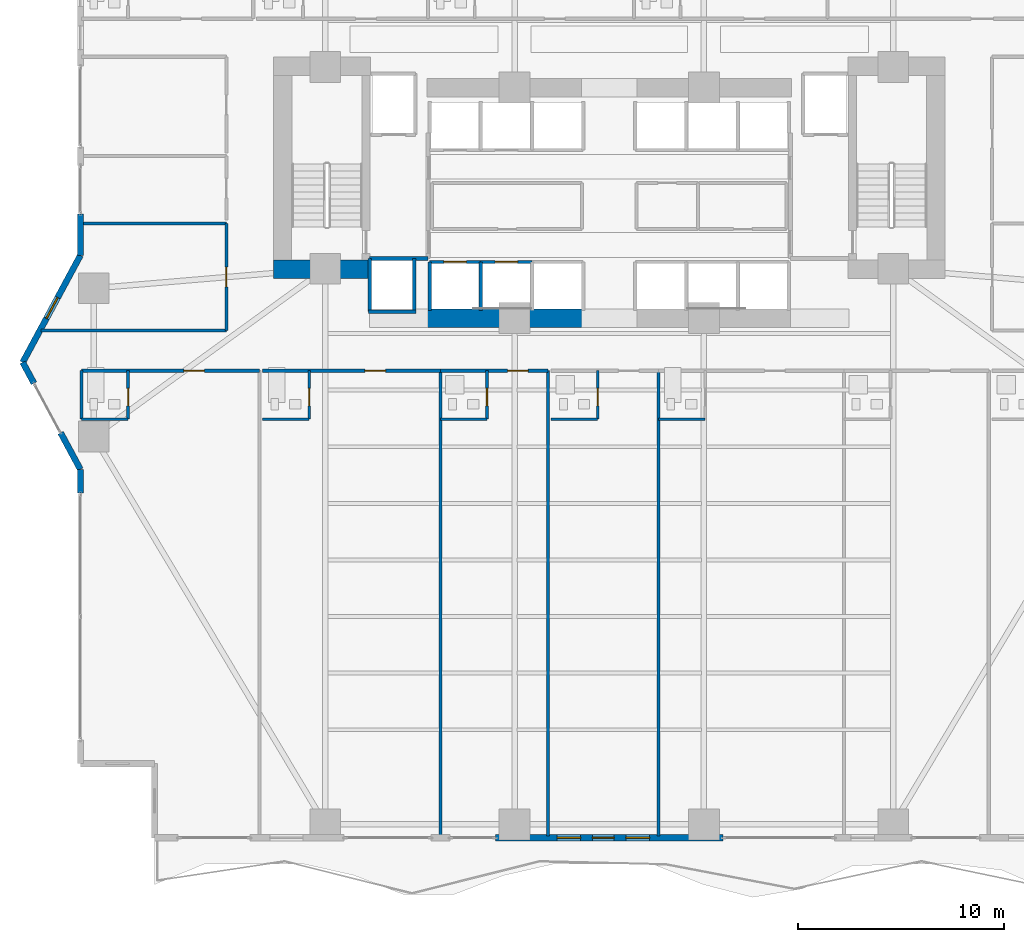
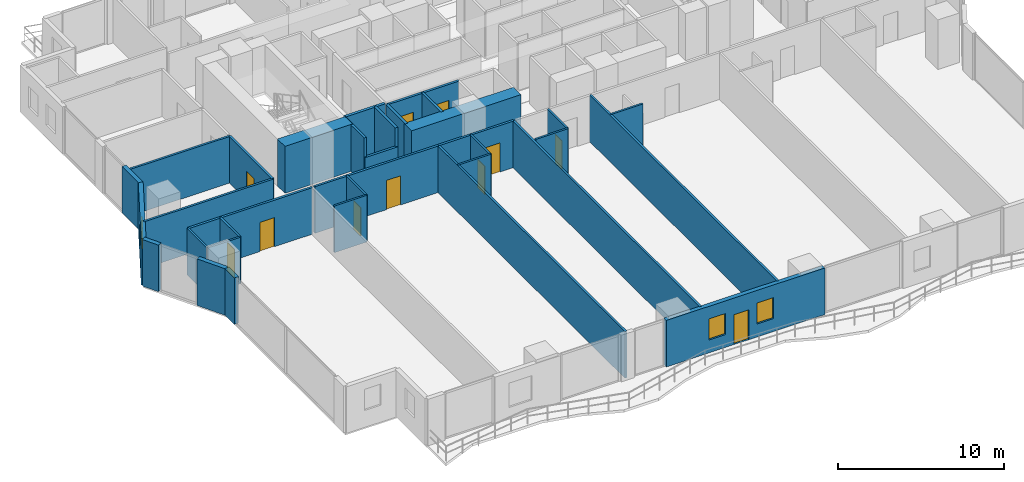
# One storey, part 18 of 29: 35 walls, 11 doors, 3 windows, 14 openings.
"""IFC4 building model written with IfcOpenShell, lengths in metres."""

from ifc_helpers import new_model, si_unit, direction, frame, frame_2d, origin, place, context, subcontext, project, spatial, rectangle, extrude, material, layer, layer_set, type_object, element, fill, save


model = new_model("IFC4")

# Units and contexts
model_context = context("Model", 3, precision=1e-05, world=origin(), true_north=direction((0.0, 1.0)))
body_context = subcontext(model_context, "Body", "Model", "MODEL_VIEW")
ifc_project = project(units=[si_unit("LENGTHUNIT", "METRE"), si_unit("AREAUNIT", "SQUARE_METRE"), si_unit("VOLUMEUNIT", "CUBIC_METRE"), si_unit("PLANEANGLEUNIT", "RADIAN"), si_unit("MASSUNIT", "GRAM", prefix="KILO")], contexts=[model_context])

# Site, building, storey
site_placement = place(None, origin())
site = spatial("IfcSite", under=ifc_project, at=site_placement, CompositionType="ELEMENT")
building_placement = place(site_placement, origin())
building = spatial("IfcBuilding", under=site, at=building_placement, Name="Zuhayl Quay Hotel", CompositionType="ELEMENT")
storey_placement = place(building_placement, frame((0.0, 0.0, 45.85009765625)))
storey = spatial("IfcBuildingStorey", under=building, at=storey_placement, Name="L10", CompositionType="ELEMENT", Elevation=45.85009765625)

# Walls
ifc_material_1 = material(Name="Concrete C70/85", Category="concrete")
ifc_layer_1 = layer(ifc_material_1, 0.89990234375, Name="Concrete C70/85", Category="concrete")
ifc_layer_set_1 = layer_set([ifc_layer_1], Name="Concrete C70/85")
wall_type_1 = type_object("IfcWallType", Name="WL_CORE_900", PredefinedType="SHEAR", material=ifc_layer_set_1)
wall_1_placement = place(storey_placement, frame((-16.31005859375, 4.52001953125, 0.0), z_axis=(0.0, 0.0, 1.0), x_axis=(1.0, 0.0, 0.0)))
element("IfcWall", 1, at=wall_1_placement, inside=storey, type_object=wall_type_1, Name="L10 Core Shear Wall CW_SW", PredefinedType="SHEAR", context=body_context, shape_type="SweptSolid", body=[
    extrude(rectangle(XDim=4.7099609375, YDim=0.89990234375, at=frame_2d((2.35498046875, 0.0))), origin(), (0.0, 0.0, 1.0), 3.4599609375),
])
wall_2_placement = place(storey_placement, frame((-8.85009765625, 2.14990234375, 0.0), z_axis=(0.0, 0.0, 1.0), x_axis=(1.0, 0.0, 0.0)))
element("IfcWall", 2, at=wall_2_placement, inside=storey, type_object=wall_type_1, Name="L10 Core Shear Wall CW_SC_W", PredefinedType="SHEAR", context=body_context, shape_type="SweptSolid", body=[
    extrude(rectangle(XDim=7.60009765625, YDim=0.89990234375, at=frame_2d((3.800048828125, 0.0))), origin(), (0.0, 0.0, 1.0), 3.429931640625),
])
ifc_material_2 = material(Name="Precast concrete C45/55", Category="concrete")
ifc_layer_2 = layer(ifc_material_2, 0.300048828125, Name="Precast concrete C45/55", Category="concrete")
ifc_layer_set_2 = layer_set([ifc_layer_2], Name="Precast concrete C45/55")
wall_type_2 = type_object("IfcWallType", Name="WL_EXT_300", PredefinedType="STANDARD", material=ifc_layer_set_2)
wall_3_placement = place(storey_placement, frame((-25.699951171875, -6.35009765625, 0.0), z_axis=(0.0, 0.0, 1.0), x_axis=(0.0, 1.0, 0.0)))
element("IfcWall", 3, at=wall_3_placement, inside=storey, type_object=wall_type_2, Name="L10 Exterior Precast Wall ENV_L10_E02_EW2", PredefinedType="STANDARD", context=body_context, shape_type="SweptSolid", body=[
    extrude(rectangle(XDim=1.150146484375, YDim=0.300048828125, at=frame_2d((0.5751953125, 0.0))), origin(), (0.0, 0.0, 1.0), 3.429931640625),
])
wall_4_placement = place(storey_placement, frame((-25.699951171875, -5.199951171875, 0.0), z_axis=(0.0, 0.0, 1.0), x_axis=(-0.474121438562, 0.88045946045, 0.0)))
element("IfcWall", 4, at=wall_4_placement, inside=storey, type_object=wall_type_2, Name="L10 Exterior Precast Wall ENV_L10_E03_EW1", PredefinedType="STANDARD", context=body_context, shape_type="SweptSolid", body=[
    extrude(rectangle(XDim=2.0205078125, YDim=0.300048828125, at=frame_2d((1.01025390625, 0.0))), origin(), (0.0, 0.0, 1.0), 3.429931640625),
])
wall_5_placement = place(storey_placement, frame((-27.954833984375, -1.012451171875, 0.0), z_axis=(0.0, 0.0, 1.0), x_axis=(-0.474099823035, 0.880471099922, 0.0)))
element("IfcWall", 5, at=wall_5_placement, inside=storey, type_object=wall_type_2, Name="L10 Exterior Precast Wall ENV_L10_E03_EW2", PredefinedType="STANDARD", context=body_context, shape_type="SweptSolid", body=[
    extrude(rectangle(XDim=1.14990234375, YDim=0.300048828125, at=frame_2d((0.574951171875, 0.0))), origin(), (0.0, 0.0, 1.0), 3.429931640625),
])

# Wall, opening, window
wall_6_placement = place(storey_placement, frame((-28.5, 0.0, 0.0), z_axis=(0.0, 0.0, 1.0), x_axis=(0.474109683532, 0.880465790352, 0.0)))
wall_6 = element("IfcWall", 6, at=wall_6_placement, inside=storey, type_object=wall_type_2, Name="L10 Exterior Precast Wall ENV_L10_E04_EW1", PredefinedType="STANDARD", context=body_context, shape_type="SweptSolid", body=[
    extrude(rectangle(XDim=5.906005859375, YDim=0.300048828125, at=frame_2d((2.953125, 0.0))), origin(), (0.0, 0.0, 1.0), 3.429931640625),
])
opening_1_placement = place(wall_6_placement, frame((2.43212890625, 0.0, 0.949951171875)))
opening_1 = element("IfcOpeningElement", 7, at=opening_1_placement, cuts=wall_6, Name="Opening W01N", PredefinedType="OPENING", context=body_context, shape_type="SweptSolid", body=[
    extrude(rectangle(XDim=1.14990234375, YDim=1.550048828125, at=frame_2d((0.574951171875, 0.77490234375))), frame((0.0, 0.159912109375, 0.0), z_axis=(0.0, -1.0, 0.0), x_axis=(1.0, 0.0, 0.0)), (0.0, 0.0, 1.0), 0.320068359375),
])
ifc_material_3 = material(Name="Dark Ceramic-Fritted Solar Glass", Category="glass")
window_type = type_object("IfcWindowType", Name="WN_NOTCH_1350", PartitioningType="SINGLE_PANEL", PredefinedType="WINDOW", material=ifc_material_3)
window_1_placement = place(opening_1_placement, origin())
window_1 = element("IfcWindow", 8, at=window_1_placement, inside=storey, type_object=window_type, Name="L10 Operable Facade Window 1-1", OverallHeight=1.550048828125, OverallWidth=1.14990234375, PartitioningType="SINGLE_PANEL", PredefinedType="WINDOW", context=body_context, shape_type="SweptSolid", body=[
    extrude(rectangle(XDim=1.14990234375, YDim=1.550048828125, at=frame_2d((0.574951171875, 0.77490234375))), frame((0.0, 0.030029296875, 0.0), z_axis=(0.0, -1.0, 0.0), x_axis=(1.0, 0.0, 0.0)), (0.0, 0.0, 1.0), 0.06005859375),
])
fill(opening_1, window_1)

# Wall
wall_7_placement = place(storey_placement, frame((-25.699951171875, 5.199951171875, 0.0), z_axis=(0.0, 0.0, 1.0), x_axis=(0.0, 1.0, 0.0)))
element("IfcWall", 9, at=wall_7_placement, inside=storey, type_object=wall_type_2, Name="L10 Exterior Precast Wall ENV_L10_E05_EW1", PredefinedType="STANDARD", context=body_context, shape_type="SweptSolid", body=[
    extrude(rectangle(XDim=2.0, YDim=0.300048828125, at=frame_2d((1.0, 0.0))), origin(), (0.0, 0.0, 1.0), 3.429931640625),
])

# Wall, openings, door, windows
wall_8_placement = place(storey_placement, frame((5.52001953125, -23.10009765625, 0.0), z_axis=(0.0, 0.0, 1.0), x_axis=(-1.0, 0.0, 0.0)))
wall_8 = element("IfcWall", 10, at=wall_8_placement, inside=storey, type_object=wall_type_2, Name="L10 Exterior Precast Wall ENV_L10_S_EW3", PredefinedType="STANDARD", context=body_context, shape_type="SweptSolid", body=[
    extrude(rectangle(XDim=11.0400390625, YDim=0.300048828125, at=frame_2d((5.52001953125, 0.0))), origin(), (0.0, 0.0, 1.0), 3.429931640625),
])
opening_2_placement = place(wall_8_placement, frame((5.284912109375, 0.0, 0.0)))
opening_2 = element("IfcOpeningElement", 11, at=opening_2_placement, cuts=wall_8, Name="Opening DG1", PredefinedType="OPENING", context=body_context, shape_type="SweptSolid", body=[
    extrude(rectangle(XDim=1.050048828125, YDim=2.199951171875, at=frame_2d((0.52490234375, 1.10009765625))), frame((0.0, 0.159912109375, 0.0), z_axis=(0.0, -1.0, 0.0), x_axis=(1.0, 0.0, 0.0)), (0.0, 0.0, 1.0), 0.320068359375),
])
opening_3_placement = place(wall_8_placement, frame((3.5625, 0.0, 0.949951171875)))
opening_3 = element("IfcOpeningElement", 12, at=opening_3_placement, cuts=wall_8, Name="Opening W01N", PredefinedType="OPENING", context=body_context, shape_type="SweptSolid", body=[
    extrude(rectangle(XDim=1.14990234375, YDim=1.550048828125, at=frame_2d((0.574951171875, 0.77490234375))), frame((0.0, 0.159912109375, 0.0), z_axis=(0.0, -1.0, 0.0), x_axis=(1.0, 0.0, 0.0)), (0.0, 0.0, 1.0), 0.320068359375),
])
opening_4_placement = place(wall_8_placement, frame((6.907470703125, 0.0, 0.949951171875)))
opening_4 = element("IfcOpeningElement", 13, at=opening_4_placement, cuts=wall_8, Name="Opening W01N", PredefinedType="OPENING", context=body_context, shape_type="SweptSolid", body=[
    extrude(rectangle(XDim=1.14990234375, YDim=1.550048828125, at=frame_2d((0.574951171875, 0.77490234375))), frame((0.0, 0.159912109375, 0.0), z_axis=(0.0, -1.0, 0.0), x_axis=(1.0, 0.0, 0.0)), (0.0, 0.0, 1.0), 0.320068359375),
])
ifc_material_4 = material(Name="Anodised Aluminium and Dark Solar Glass", Category="aluminium")
door_type_1 = type_object("IfcDoorType", Name="DR_EXT_TERR_1050", OperationType="NOTDEFINED", PredefinedType="DOOR", material=ifc_material_4)
door_1_placement = place(opening_2_placement, origin())
door_1 = element("IfcDoor", 14, at=door_1_placement, inside=storey, type_object=door_type_1, Name="L10 South Rippling Balcony Door", OperationType="SINGLE_SWING_RIGHT", OverallHeight=2.199951171875, OverallWidth=1.050048828125, PredefinedType="DOOR", context=body_context, shape_type="SweptSolid", body=[
    extrude(rectangle(XDim=1.050048828125, YDim=2.199951171875, at=frame_2d((0.52490234375, 1.10009765625))), frame((0.0, 0.02490234375, 0.0), z_axis=(0.0, -1.0, 0.0), x_axis=(1.0, 0.0, 0.0)), (0.0, 0.0, 1.0), 0.050048828125),
])
fill(opening_2, door_1)
window_2_placement = place(opening_3_placement, origin())
window_2 = element("IfcWindow", 15, at=window_2_placement, inside=storey, type_object=window_type, Name="L10 Operable Facade Window 3-1", OverallHeight=1.550048828125, OverallWidth=1.14990234375, PartitioningType="SINGLE_PANEL", PredefinedType="WINDOW", context=body_context, shape_type="SweptSolid", body=[
    extrude(rectangle(XDim=1.14990234375, YDim=1.550048828125, at=frame_2d((0.574951171875, 0.77490234375))), frame((0.0, 0.030029296875, 0.0), z_axis=(0.0, -1.0, 0.0), x_axis=(1.0, 0.0, 0.0)), (0.0, 0.0, 1.0), 0.06005859375),
])
fill(opening_3, window_2)
window_3_placement = place(opening_4_placement, origin())
window_3 = element("IfcWindow", 16, at=window_3_placement, inside=storey, type_object=window_type, Name="L10 Operable Facade Window 3-2", OverallHeight=1.550048828125, OverallWidth=1.14990234375, PartitioningType="SINGLE_PANEL", PredefinedType="WINDOW", context=body_context, shape_type="SweptSolid", body=[
    extrude(rectangle(XDim=1.14990234375, YDim=1.550048828125, at=frame_2d((0.574951171875, 0.77490234375))), frame((0.0, 0.030029296875, 0.0), z_axis=(0.0, -1.0, 0.0), x_axis=(1.0, 0.0, 0.0)), (0.0, 0.0, 1.0), 0.06005859375),
])
fill(opening_4, window_3)

# Walls
ifc_material_5 = material(Name="Acoustic Gypsum Partition STC-58")
ifc_layer_3 = layer(ifc_material_5, 0.14990234375, Name="Acoustic Gypsum Partition STC-58")
ifc_layer_set_3 = layer_set([ifc_layer_3], Name="Acoustic Gypsum Partition STC-58")
wall_type_3 = type_object("IfcWallType", Name="WL_PART_150", PredefinedType="PARTITIONING", material=ifc_layer_set_3)
for number, where, z_axis, x_axis, name in (
    (17, (-8.199951171875, -23.02001953125, 0.0), (0.0, 0.0, 1.0), (0.0, 1.0, 0.0), "L10 Partition IW_L10_SU01B_E"),
    (18, (-2.97998046875, -23.02001953125, 0.0), (0.0, 0.0, 1.0), (0.0, 1.0, 0.0), "L10 Partition IW_L10_SU02A_E"),
    (19, (2.39990234375, -23.02001953125, 0.0), (0.0, 0.0, 1.0), (0.0, 1.0, 0.0), "L10 Partition IW_L10_SU02B_E"),
):
    element("IfcWall", number, at=place(storey_placement, frame(where, z_axis=z_axis, x_axis=x_axis)), inside=storey, type_object=wall_type_3, Name=name, PredefinedType="PARTITIONING", context=body_context, shape_type="SweptSolid", body=[
        extrude(rectangle(XDim=22.6201171875, YDim=0.14990234375, at=frame_2d((11.31005859375, 0.0))), origin(), (0.0, 0.0, 1.0), 3.429931640625),
    ])
wall_9_placement = place(storey_placement, frame((-27.60546875, 1.550048828125, 0.0), z_axis=(0.0, 0.0, 1.0), x_axis=(1.0, 0.0, 0.0)))
element("IfcWall", 20, at=wall_9_placement, inside=storey, type_object=wall_type_3, Name="L10 Partition IW_L10_WPROW_1_S", PredefinedType="PARTITIONING", context=body_context, shape_type="SweptSolid", body=[
    extrude(rectangle(XDim=9.00537109375, YDim=0.14990234375, at=frame_2d((4.502685546875, 0.0))), origin(), (0.0, 0.0, 1.0), 3.429931640625),
])
wall_10_placement = place(storey_placement, frame((-25.639892578125, 6.75, 0.0), z_axis=(0.0, 0.0, 1.0), x_axis=(1.0, 0.0, 0.0)))
element("IfcWall", 21, at=wall_10_placement, inside=storey, type_object=wall_type_3, Name="L10 Partition IW_L10_WPROW_1_N", PredefinedType="PARTITIONING", context=body_context, shape_type="SweptSolid", body=[
    extrude(rectangle(XDim=7.039794921875, YDim=0.14990234375, at=frame_2d((3.52001953125, 0.0))), origin(), (0.0, 0.0, 1.0), 3.429931640625),
])

# Wall, opening, door
ifc_layer_4 = layer(ifc_material_5, 0.159912109375, Name="Acoustic Gypsum Partition STC-58")
ifc_layer_set_4 = layer_set([ifc_layer_4], Name="Acoustic Gypsum Partition STC-58")
wall_type_4 = type_object("IfcWallType", Name="WL_PART_CORR_160", PredefinedType="PARTITIONING", material=ifc_layer_set_4)
wall_11_placement = place(storey_placement, frame((-25.639892578125, -0.39990234375, 0.0), z_axis=(0.0, 0.0, 1.0), x_axis=(1.0, 0.0, 0.0)))
wall_11 = element("IfcWall", 22, at=wall_11_placement, inside=storey, type_object=wall_type_4, Name="L10 Partition IW_L10_SU01A_COR", PredefinedType="PARTITIONING", context=body_context, shape_type="SweptSolid", body=[
    extrude(rectangle(XDim=8.639892578125, YDim=0.159912109375, at=frame_2d((4.31982421875, 0.0))), origin(), (0.0, 0.0, 1.0), 3.429931640625),
])
opening_5_placement = place(wall_11_placement, frame((4.969970703125, 0.0, 0.0)))
opening_5 = element("IfcOpeningElement", 23, at=opening_5_placement, cuts=wall_11, Name="Opening D03L", PredefinedType="OPENING", context=body_context, shape_type="SweptSolid", body=[
    extrude(rectangle(XDim=1.0, YDim=2.14990234375, at=frame_2d((0.5, 1.074951171875))), frame((0.0, 0.08984375, 0.0), z_axis=(0.0, -1.0, 0.0), x_axis=(1.0, 0.0, 0.0)), (0.0, 0.0, 1.0), 0.179931640625),
])
ifc_material_6 = material(Name="Solid Walnut Acoustic Fire Door")
door_type_2 = type_object("IfcDoorType", Name="DR_SUITE_1000", OperationType="NOTDEFINED", PredefinedType="DOOR", material=ifc_material_6)
door_2_placement = place(opening_5_placement, origin())
door_2 = element("IfcDoor", 24, at=door_2_placement, inside=storey, type_object=door_type_2, Name="L10 City-View Junior Suite L10-01A Entrance Door", OperationType="SINGLE_SWING_RIGHT", OverallHeight=2.14990234375, OverallWidth=1.0, PredefinedType="DOOR", context=body_context, shape_type="SweptSolid", body=[
    extrude(rectangle(XDim=1.0, YDim=2.14990234375, at=frame_2d((0.5, 1.074951171875))), frame((0.0, 0.02490234375, 0.0), z_axis=(0.0, -1.0, 0.0), x_axis=(1.0, 0.0, 0.0)), (0.0, 0.0, 1.0), 0.050048828125),
])
fill(opening_5, door_2)

wall_12_placement = place(storey_placement, frame((-16.840087890625, -0.39990234375, 0.0), z_axis=(0.0, 0.0, 1.0), x_axis=(1.0, 0.0, 0.0)))
wall_12 = element("IfcWall", 25, at=wall_12_placement, inside=storey, type_object=wall_type_4, Name="L10 Partition IW_L10_SU01B_COR", PredefinedType="PARTITIONING", context=body_context, shape_type="SweptSolid", body=[
    extrude(rectangle(XDim=8.64013671875, YDim=0.159912109375, at=frame_2d((4.320068359375, 0.0))), origin(), (0.0, 0.0, 1.0), 3.429931640625),
])
opening_6_placement = place(wall_12_placement, frame((4.969970703125, 0.0, 0.0)))
opening_6 = element("IfcOpeningElement", 26, at=opening_6_placement, cuts=wall_12, Name="Opening D03L", PredefinedType="OPENING", context=body_context, shape_type="SweptSolid", body=[
    extrude(rectangle(XDim=1.0, YDim=2.14990234375, at=frame_2d((0.5, 1.074951171875))), frame((0.0, 0.08984375, 0.0), z_axis=(0.0, -1.0, 0.0), x_axis=(1.0, 0.0, 0.0)), (0.0, 0.0, 1.0), 0.179931640625),
])
door_3_placement = place(opening_6_placement, origin())
door_3 = element("IfcDoor", 27, at=door_3_placement, inside=storey, type_object=door_type_2, Name="L10 City-View Junior Suite L10-01B Entrance Door", OperationType="SINGLE_SWING_RIGHT", OverallHeight=2.14990234375, OverallWidth=1.0, PredefinedType="DOOR", context=body_context, shape_type="SweptSolid", body=[
    extrude(rectangle(XDim=1.0, YDim=2.14990234375, at=frame_2d((0.5, 1.074951171875))), frame((0.0, 0.02490234375, 0.0), z_axis=(0.0, -1.0, 0.0), x_axis=(1.0, 0.0, 0.0)), (0.0, 0.0, 1.0), 0.050048828125),
])
fill(opening_6, door_3)

wall_13_placement = place(storey_placement, frame((-8.199951171875, -0.39990234375, 0.0), z_axis=(0.0, 0.0, 1.0), x_axis=(1.0, 0.0, 0.0)))
wall_13 = element("IfcWall", 28, at=wall_13_placement, inside=storey, type_object=wall_type_4, Name="L10 Partition IW_L10_SU02A_COR", PredefinedType="PARTITIONING", context=body_context, shape_type="SweptSolid", body=[
    extrude(rectangle(XDim=5.219970703125, YDim=0.159912109375, at=frame_2d((2.60986328125, 0.0))), origin(), (0.0, 0.0, 1.0), 3.429931640625),
])
opening_7_placement = place(wall_13_placement, frame((3.260009765625, 0.0, 0.0)))
opening_7 = element("IfcOpeningElement", 29, at=opening_7_placement, cuts=wall_13, Name="Opening D03L", PredefinedType="OPENING", context=body_context, shape_type="SweptSolid", body=[
    extrude(rectangle(XDim=1.0, YDim=2.14990234375, at=frame_2d((0.5, 1.074951171875))), frame((0.0, 0.08984375, 0.0), z_axis=(0.0, -1.0, 0.0), x_axis=(1.0, 0.0, 0.0)), (0.0, 0.0, 1.0), 0.179931640625),
])
door_4_placement = place(opening_7_placement, origin())
door_4 = element("IfcDoor", 30, at=door_4_placement, inside=storey, type_object=door_type_2, Name="L10 City-View Junior Suite L10-02A Entrance Door", OperationType="SINGLE_SWING_RIGHT", OverallHeight=2.14990234375, OverallWidth=1.0, PredefinedType="DOOR", context=body_context, shape_type="SweptSolid", body=[
    extrude(rectangle(XDim=1.0, YDim=2.14990234375, at=frame_2d((0.5, 1.074951171875))), frame((0.0, 0.02490234375, 0.0), z_axis=(0.0, -1.0, 0.0), x_axis=(1.0, 0.0, 0.0)), (0.0, 0.0, 1.0), 0.050048828125),
])
fill(opening_7, door_4)

wall_14_placement = place(storey_placement, frame((-18.60009765625, 1.550048828125, 0.0), z_axis=(0.0, 0.0, 1.0), x_axis=(0.0, 1.0, 0.0)))
wall_14 = element("IfcWall", 31, at=wall_14_placement, inside=storey, type_object=wall_type_4, Name="L10 Partition IW_L10_WPROW_1_E", PredefinedType="PARTITIONING", context=body_context, shape_type="SweptSolid", body=[
    extrude(rectangle(XDim=5.199951171875, YDim=0.159912109375, at=frame_2d((2.60009765625, 0.0))), origin(), (0.0, 0.0, 1.0), 3.429931640625),
])
opening_8_placement = place(wall_14_placement, frame((2.125, 0.0, 0.0)))
opening_8 = element("IfcOpeningElement", 32, at=opening_8_placement, cuts=wall_14, Name="Opening D03", PredefinedType="OPENING", context=body_context, shape_type="SweptSolid", body=[
    extrude(rectangle(XDim=0.949951171875, YDim=2.14990234375, at=frame_2d((0.47509765625, 1.074951171875))), frame((0.0, 0.08984375, 0.0), z_axis=(0.0, -1.0, 0.0), x_axis=(1.0, 0.0, 0.0)), (0.0, 0.0, 1.0), 0.179931640625),
])
door_type_3 = type_object("IfcDoorType", Name="DR_SUITE_950", OperationType="NOTDEFINED", PredefinedType="DOOR", material=ifc_material_6)
door_5_placement = place(opening_8_placement, origin())
door_5 = element("IfcDoor", 33, at=door_5_placement, inside=storey, type_object=door_type_3, Name="L10 West Prow Office L10 Door", OperationType="SINGLE_SWING_LEFT", OverallHeight=2.14990234375, OverallWidth=0.949951171875, PredefinedType="DOOR", context=body_context, shape_type="SweptSolid", body=[
    extrude(rectangle(XDim=0.949951171875, YDim=2.14990234375, at=frame_2d((0.47509765625, 1.074951171875))), frame((0.0, 0.02490234375, 0.0), z_axis=(0.0, -1.0, 0.0), x_axis=(1.0, 0.0, 0.0)), (0.0, 0.0, 1.0), 0.050048828125),
])
fill(opening_8, door_5)

ifc_material_7 = material(Name="Moisture-Resistant Sanitarychase Gypsum")
ifc_layer_5 = layer(ifc_material_7, 0.135009765625, Name="Moisture-Resistant Sanitarychase Gypsum")
ifc_layer_set_5 = layer_set([ifc_layer_5], Name="Moisture-Resistant Sanitarychase Gypsum")
wall_type_5 = type_object("IfcWallType", Name="WL_PART_PLUMB_150", PredefinedType="PLUMBINGWALL", material=ifc_layer_set_5)
wall_15_placement = place(storey_placement, frame((-23.3798828125, -2.760009765625, 0.0), z_axis=(0.0, 0.0, 1.0), x_axis=(0.0, 1.0, 0.0)))
wall_15 = element("IfcWall", 34, at=wall_15_placement, inside=storey, type_object=wall_type_5, Name="L10 Partition IW_L10_SU01A_BE", PredefinedType="PLUMBINGWALL", context=body_context, shape_type="SweptSolid", body=[
    extrude(rectangle(XDim=2.360107421875, YDim=0.135009765625, at=frame_2d((1.18017578125, 0.0))), origin(), (0.0, 0.0, 1.0), 3.429931640625),
])
opening_9_placement = place(wall_15_placement, frame((0.64990234375, 0.0, 0.0)))
opening_9 = element("IfcOpeningElement", 35, at=opening_9_placement, cuts=wall_15, Name="Opening D04", PredefinedType="OPENING", context=body_context, shape_type="SweptSolid", body=[
    extrude(rectangle(XDim=0.85009765625, YDim=2.10009765625, at=frame_2d((0.425048828125, 1.050048828125))), frame((0.0, 0.077392578125, 0.0), z_axis=(0.0, -1.0, 0.0), x_axis=(1.0, 0.0, 0.0)), (0.0, 0.0, 1.0), 0.155029296875),
])
ifc_material_8 = material(Name="Moisture-Resistant Walnut Veneer")
door_type_4 = type_object("IfcDoorType", Name="DR_BATH_850", OperationType="NOTDEFINED", PredefinedType="DOOR", material=ifc_material_8)
door_6_placement = place(opening_9_placement, origin())
door_6 = element("IfcDoor", 36, at=door_6_placement, inside=storey, type_object=door_type_4, Name="L10 City-View Junior Suite L10-01A En-Suite Door", OperationType="SINGLE_SWING_LEFT", OverallHeight=2.10009765625, OverallWidth=0.85009765625, PredefinedType="DOOR", context=body_context, shape_type="SweptSolid", body=[
    extrude(rectangle(XDim=0.85009765625, YDim=2.10009765625, at=frame_2d((0.425048828125, 1.050048828125))), frame((0.0, 0.02490234375, 0.0), z_axis=(0.0, -1.0, 0.0), x_axis=(1.0, 0.0, 0.0)), (0.0, 0.0, 1.0), 0.050048828125),
])
fill(opening_9, door_6)

wall_16_placement = place(storey_placement, frame((-14.580078125, -2.760009765625, 0.0), z_axis=(0.0, 0.0, 1.0), x_axis=(0.0, 1.0, 0.0)))
wall_16 = element("IfcWall", 37, at=wall_16_placement, inside=storey, type_object=wall_type_5, Name="L10 Partition IW_L10_SU01B_BE", PredefinedType="PLUMBINGWALL", context=body_context, shape_type="SweptSolid", body=[
    extrude(rectangle(XDim=2.360107421875, YDim=0.135009765625, at=frame_2d((1.18017578125, 0.0))), origin(), (0.0, 0.0, 1.0), 3.429931640625),
])
opening_10_placement = place(wall_16_placement, frame((0.64990234375, 0.0, 0.0)))
opening_10 = element("IfcOpeningElement", 38, at=opening_10_placement, cuts=wall_16, Name="Opening D04", PredefinedType="OPENING", context=body_context, shape_type="SweptSolid", body=[
    extrude(rectangle(XDim=0.85009765625, YDim=2.10009765625, at=frame_2d((0.425048828125, 1.050048828125))), frame((0.0, 0.077392578125, 0.0), z_axis=(0.0, -1.0, 0.0), x_axis=(1.0, 0.0, 0.0)), (0.0, 0.0, 1.0), 0.155029296875),
])
door_7_placement = place(opening_10_placement, origin())
door_7 = element("IfcDoor", 39, at=door_7_placement, inside=storey, type_object=door_type_4, Name="L10 City-View Junior Suite L10-01B En-Suite Door", OperationType="SINGLE_SWING_LEFT", OverallHeight=2.10009765625, OverallWidth=0.85009765625, PredefinedType="DOOR", context=body_context, shape_type="SweptSolid", body=[
    extrude(rectangle(XDim=0.85009765625, YDim=2.10009765625, at=frame_2d((0.425048828125, 1.050048828125))), frame((0.0, 0.02490234375, 0.0), z_axis=(0.0, -1.0, 0.0), x_axis=(1.0, 0.0, 0.0)), (0.0, 0.0, 1.0), 0.050048828125),
])
fill(opening_10, door_7)

wall_17_placement = place(storey_placement, frame((-5.93994140625, -2.760009765625, 0.0), z_axis=(0.0, 0.0, 1.0), x_axis=(0.0, 1.0, 0.0)))
wall_17 = element("IfcWall", 40, at=wall_17_placement, inside=storey, type_object=wall_type_5, Name="L10 Partition IW_L10_SU02A_BE", PredefinedType="PLUMBINGWALL", context=body_context, shape_type="SweptSolid", body=[
    extrude(rectangle(XDim=2.360107421875, YDim=0.135009765625, at=frame_2d((1.18017578125, 0.0))), origin(), (0.0, 0.0, 1.0), 3.429931640625),
])
opening_11_placement = place(wall_17_placement, frame((0.64990234375, 0.0, 0.0)))
opening_11 = element("IfcOpeningElement", 41, at=opening_11_placement, cuts=wall_17, Name="Opening D04", PredefinedType="OPENING", context=body_context, shape_type="SweptSolid", body=[
    extrude(rectangle(XDim=0.85009765625, YDim=2.10009765625, at=frame_2d((0.425048828125, 1.050048828125))), frame((0.0, 0.077392578125, 0.0), z_axis=(0.0, -1.0, 0.0), x_axis=(1.0, 0.0, 0.0)), (0.0, 0.0, 1.0), 0.155029296875),
])
door_8_placement = place(opening_11_placement, origin())
door_8 = element("IfcDoor", 42, at=door_8_placement, inside=storey, type_object=door_type_4, Name="L10 City-View Junior Suite L10-02A En-Suite Door", OperationType="SINGLE_SWING_LEFT", OverallHeight=2.10009765625, OverallWidth=0.85009765625, PredefinedType="DOOR", context=body_context, shape_type="SweptSolid", body=[
    extrude(rectangle(XDim=0.85009765625, YDim=2.10009765625, at=frame_2d((0.425048828125, 1.050048828125))), frame((0.0, 0.02490234375, 0.0), z_axis=(0.0, -1.0, 0.0), x_axis=(1.0, 0.0, 0.0)), (0.0, 0.0, 1.0), 0.050048828125),
])
fill(opening_11, door_8)

wall_18_placement = place(storey_placement, frame((-0.56005859375, -2.760009765625, 0.0), z_axis=(0.0, 0.0, 1.0), x_axis=(0.0, 1.0, 0.0)))
wall_18 = element("IfcWall", 43, at=wall_18_placement, inside=storey, type_object=wall_type_5, Name="L10 Partition IW_L10_SU02B_BE", PredefinedType="PLUMBINGWALL", context=body_context, shape_type="SweptSolid", body=[
    extrude(rectangle(XDim=2.360107421875, YDim=0.135009765625, at=frame_2d((1.18017578125, 0.0))), origin(), (0.0, 0.0, 1.0), 3.429931640625),
])
opening_12_placement = place(wall_18_placement, frame((0.64990234375, 0.0, 0.0)))
opening_12 = element("IfcOpeningElement", 44, at=opening_12_placement, cuts=wall_18, Name="Opening D04", PredefinedType="OPENING", context=body_context, shape_type="SweptSolid", body=[
    extrude(rectangle(XDim=0.85009765625, YDim=2.10009765625, at=frame_2d((0.425048828125, 1.050048828125))), frame((0.0, 0.077392578125, 0.0), z_axis=(0.0, -1.0, 0.0), x_axis=(1.0, 0.0, 0.0)), (0.0, 0.0, 1.0), 0.155029296875),
])
door_9_placement = place(opening_12_placement, origin())
door_9 = element("IfcDoor", 45, at=door_9_placement, inside=storey, type_object=door_type_4, Name="L10 City-View Junior Suite L10-02B En-Suite Door", OperationType="SINGLE_SWING_LEFT", OverallHeight=2.10009765625, OverallWidth=0.85009765625, PredefinedType="DOOR", context=body_context, shape_type="SweptSolid", body=[
    extrude(rectangle(XDim=0.85009765625, YDim=2.10009765625, at=frame_2d((0.425048828125, 1.050048828125))), frame((0.0, 0.02490234375, 0.0), z_axis=(0.0, -1.0, 0.0), x_axis=(1.0, 0.0, 0.0)), (0.0, 0.0, 1.0), 0.050048828125),
])
fill(opening_12, door_9)

# Walls
wall_19_placement = place(storey_placement, frame((-25.639892578125, -2.760009765625, 0.0), z_axis=(0.0, 0.0, 1.0), x_axis=(1.0, 0.0, 0.0)))
element("IfcWall", 46, at=wall_19_placement, inside=storey, type_object=wall_type_5, Name="L10 Partition IW_L10_SU01A_BS", PredefinedType="PLUMBINGWALL", context=body_context, shape_type="SweptSolid", body=[
    extrude(rectangle(XDim=2.260009765625, YDim=0.135009765625, at=frame_2d((1.1298828125, 0.0))), origin(), (0.0, 0.0, 1.0), 3.429931640625),
])
wall_20_placement = place(storey_placement, frame((-25.639892578125, -2.760009765625, 0.0), z_axis=(0.0, 0.0, 1.0), x_axis=(0.0, 1.0, 0.0)))
element("IfcWall", 47, at=wall_20_placement, inside=storey, type_object=wall_type_5, Name="L10 Partition IW_L10_SU01A_BW", PredefinedType="PLUMBINGWALL", context=body_context, shape_type="SweptSolid", body=[
    extrude(rectangle(XDim=2.360107421875, YDim=0.135009765625, at=frame_2d((1.18017578125, 0.0))), origin(), (0.0, 0.0, 1.0), 3.429931640625),
])
for number, where, z_axis, x_axis, name in (
    (48, (-16.840087890625, -2.760009765625, 0.0), (0.0, 0.0, 1.0), (1.0, 0.0, 0.0), "L10 Partition IW_L10_SU01B_BS"),
    (49, (-8.199951171875, -2.760009765625, 0.0), (0.0, 0.0, 1.0), (1.0, 0.0, 0.0), "L10 Partition IW_L10_SU02A_BS"),
    (50, (-2.820068359375, -2.760009765625, 0.0), (0.0, 0.0, 1.0), (1.0, 0.0, 0.0), "L10 Partition IW_L10_SU02B_BS"),
    (51, (2.39990234375, -2.760009765625, 0.0), (0.0, 0.0, 1.0), (1.0, 0.0, 0.0), "L10 Partition IW_L10_SU03_BS"),
):
    element("IfcWall", number, at=place(storey_placement, frame(where, z_axis=z_axis, x_axis=x_axis)), inside=storey, type_object=wall_type_5, Name=name, PredefinedType="PLUMBINGWALL", context=body_context, shape_type="SweptSolid", body=[
        extrude(rectangle(XDim=2.260009765625, YDim=0.135009765625, at=frame_2d((1.1298828125, 0.0))), origin(), (0.0, 0.0, 1.0), 3.429931640625),
    ])

# Wall, opening, door
ifc_material_9 = material(Name="Gypsum Fireboard Assembly EI-90")
ifc_layer_6 = layer(ifc_material_9, 0.1650390625, Name="Gypsum Fireboard Assembly EI-90")
ifc_layer_set_6 = layer_set([ifc_layer_6], Name="Gypsum Fireboard Assembly EI-90")
wall_type_6 = type_object("IfcWallType", Name="WL_PART_SHAFT_160", PredefinedType="PARTITIONING", material=ifc_layer_set_6)
wall_21_placement = place(storey_placement, frame((-8.72998046875, 4.8798828125, 0.0), z_axis=(0.0, 0.0, 1.0), x_axis=(1.0, 0.0, 0.0)))
wall_21 = element("IfcWall", 52, at=wall_21_placement, inside=storey, type_object=wall_type_6, Name="L10 Partition IW_L10_SH_LP1_F", PredefinedType="PARTITIONING", context=body_context, shape_type="SweptSolid", body=[
    extrude(rectangle(XDim=2.47998046875, YDim=0.1650390625, at=frame_2d((1.239990234375, 0.0))), origin(), (0.0, 0.0, 1.0), 3.429931640625),
])
opening_13_placement = place(wall_21_placement, frame((0.68994140625, 0.0, 0.0)))
opening_13 = element("IfcOpeningElement", 53, at=opening_13_placement, cuts=wall_21, Name="Opening LD1", PredefinedType="OPENING", context=body_context, shape_type="SweptSolid", body=[
    extrude(rectangle(XDim=1.10009765625, YDim=2.25, at=frame_2d((0.550048828125, 1.125))), frame((0.0, 0.092529296875, 0.0), z_axis=(0.0, -1.0, 0.0), x_axis=(1.0, 0.0, 0.0)), (0.0, 0.0, 1.0), 0.18505859375),
])
ifc_material_10 = material(Name="Brushed Stainless Steel", Category="steel")
door_type_5 = type_object("IfcDoorType", Name="DR_LIFT_PASS_1100", OperationType="SLIDING_TO_LEFT", PredefinedType="DOOR", material=ifc_material_10)
door_10_placement = place(opening_13_placement, origin())
door_10 = element("IfcDoor", 54, at=door_10_placement, inside=storey, type_object=door_type_5, Name="L10 Lift LP1 Sliding Landing Door", OperationType="SLIDING_TO_LEFT", OverallHeight=2.25, OverallWidth=1.10009765625, PredefinedType="DOOR", context=body_context, shape_type="SweptSolid", body=[
    extrude(rectangle(XDim=1.10009765625, YDim=2.25, at=frame_2d((0.550048828125, 1.125))), frame((0.0, 0.02490234375, 0.0), z_axis=(0.0, -1.0, 0.0), x_axis=(1.0, 0.0, 0.0)), (0.0, 0.0, 1.0), 0.050048828125),
])
fill(opening_13, door_10)

wall_22_placement = place(storey_placement, frame((-6.25, 4.8798828125, 0.0), z_axis=(0.0, 0.0, 1.0), x_axis=(1.0, 0.0, 0.0)))
wall_22 = element("IfcWall", 55, at=wall_22_placement, inside=storey, type_object=wall_type_6, Name="L10 Partition IW_L10_SH_LP2_F", PredefinedType="PARTITIONING", context=body_context, shape_type="SweptSolid", body=[
    extrude(rectangle(XDim=2.5, YDim=0.1650390625, at=frame_2d((1.25, 0.0))), origin(), (0.0, 0.0, 1.0), 3.429931640625),
])
opening_14_placement = place(wall_22_placement, frame((0.699951171875, 0.0, 0.0)))
opening_14 = element("IfcOpeningElement", 56, at=opening_14_placement, cuts=wall_22, Name="Opening LD1", PredefinedType="OPENING", context=body_context, shape_type="SweptSolid", body=[
    extrude(rectangle(XDim=1.10009765625, YDim=2.25, at=frame_2d((0.550048828125, 1.125))), frame((0.0, 0.092529296875, 0.0), z_axis=(0.0, -1.0, 0.0), x_axis=(1.0, 0.0, 0.0)), (0.0, 0.0, 1.0), 0.18505859375),
])
door_11_placement = place(opening_14_placement, origin())
door_11 = element("IfcDoor", 57, at=door_11_placement, inside=storey, type_object=door_type_5, Name="L10 Lift LP2 Sliding Landing Door", OperationType="SLIDING_TO_LEFT", OverallHeight=2.25, OverallWidth=1.10009765625, PredefinedType="DOOR", context=body_context, shape_type="SweptSolid", body=[
    extrude(rectangle(XDim=1.10009765625, YDim=2.25, at=frame_2d((0.550048828125, 1.125))), frame((0.0, 0.02490234375, 0.0), z_axis=(0.0, -1.0, 0.0), x_axis=(1.0, 0.0, 0.0)), (0.0, 0.0, 1.0), 0.050048828125),
])
fill(opening_14, door_11)

# Walls
for number, where, z_axis, x_axis, name in (
    (58, (-8.72998046875, 2.52001953125, 0.0), (0.0, 0.0, 1.0), (0.0, 1.0, 0.0), "L10 Partition IW_L10_SH_LP1_W"),
    (59, (-6.25, 2.52001953125, 0.0), (0.0, 0.0, 1.0), (0.0, 1.0, 0.0), "L10 Partition IW_L10_SH_LP1_E"),
):
    element("IfcWall", number, at=place(storey_placement, frame(where, z_axis=z_axis, x_axis=x_axis)), inside=storey, type_object=wall_type_6, Name=name, PredefinedType="PARTITIONING", context=body_context, shape_type="SweptSolid", body=[
        extrude(rectangle(XDim=2.35986328125, YDim=0.1650390625, at=frame_2d((1.179931640625, 0.0))), origin(), (0.0, 0.0, 1.0), 3.429931640625),
    ])
wall_23_placement = place(storey_placement, frame((-11.6298828125, 2.469970703125, 0.0), z_axis=(0.0, 0.0, 1.0), x_axis=(0.0, 1.0, 0.0)))
element("IfcWall", 60, at=wall_23_placement, inside=storey, type_object=wall_type_6, Name="L10 Partition IW_L10_RISER_W", PredefinedType="PARTITIONING", context=body_context, shape_type="SweptSolid", body=[
    extrude(rectangle(XDim=2.580078125, YDim=0.1650390625, at=frame_2d((1.2900390625, 0.0))), origin(), (0.0, 0.0, 1.0), 3.429931640625),
])
wall_24_placement = place(storey_placement, frame((-11.7099609375, 2.469970703125, 0.0), z_axis=(0.0, 0.0, 1.0), x_axis=(1.0, 0.0, 0.0)))
element("IfcWall", 61, at=wall_24_placement, inside=storey, type_object=wall_type_6, Name="L10 Partition IW_L10_RISER_S", PredefinedType="PARTITIONING", context=body_context, shape_type="SweptSolid", body=[
    extrude(rectangle(XDim=2.31005859375, YDim=0.1650390625, at=frame_2d((1.155029296875, 0.0))), origin(), (0.0, 0.0, 1.0), 2.02978515625),
])
ifc_layer_7 = layer(ifc_material_9, 0.179931640625, Name="Gypsum Fireboard Assembly EI-90")
ifc_layer_set_7 = layer_set([ifc_layer_7], Name="Gypsum Fireboard Assembly EI-90")
wall_type_7 = type_object("IfcWallType", Name="WL_PART_SHAFT_180", PredefinedType="PARTITIONING", material=ifc_layer_set_7)
wall_25_placement = place(storey_placement, frame((-9.469970703125, 2.449951171875, 0.0), z_axis=(0.0, 0.0, 1.0), x_axis=(0.0, 1.0, 0.0)))
element("IfcWall", 62, at=wall_25_placement, inside=storey, type_object=wall_type_7, Name="L10 Partition IW_L10_RISER_E", PredefinedType="PARTITIONING", context=body_context, shape_type="SweptSolid", body=[
    extrude(rectangle(XDim=2.60009765625, YDim=0.179931640625, at=frame_2d((1.300048828125, 0.0))), origin(), (0.0, 0.0, 1.0), 3.429931640625),
])
ifc_material_11 = material(Name="Gypsum Fireboard Assembly EI-120")
ifc_layer_8 = layer(ifc_material_11, 0.199951171875, Name="Gypsum Fireboard Assembly EI-120")
ifc_layer_set_8 = layer_set([ifc_layer_8], Name="Gypsum Fireboard Assembly EI-120")
wall_type_8 = type_object("IfcWallType", Name="WL_PART_SHAFT_200", PredefinedType="PARTITIONING", material=ifc_layer_set_8)
wall_26_placement = place(storey_placement, frame((-11.64990234375, 5.050048828125, 0.0), z_axis=(0.0, 0.0, 1.0), x_axis=(1.0, 0.0, 0.0)))
element("IfcWall", 63, at=wall_26_placement, inside=storey, type_object=wall_type_8, Name="L10 Partition IW_L10_FSAE_W_S", PredefinedType="PARTITIONING", context=body_context, shape_type="SweptSolid", body=[
    extrude(rectangle(XDim=2.849853515625, YDim=0.199951171875, at=frame_2d((1.4248046875, 0.0))), origin(), (0.0, 0.0, 1.0), 3.429931640625),
])

save(model, "model.ifc")
